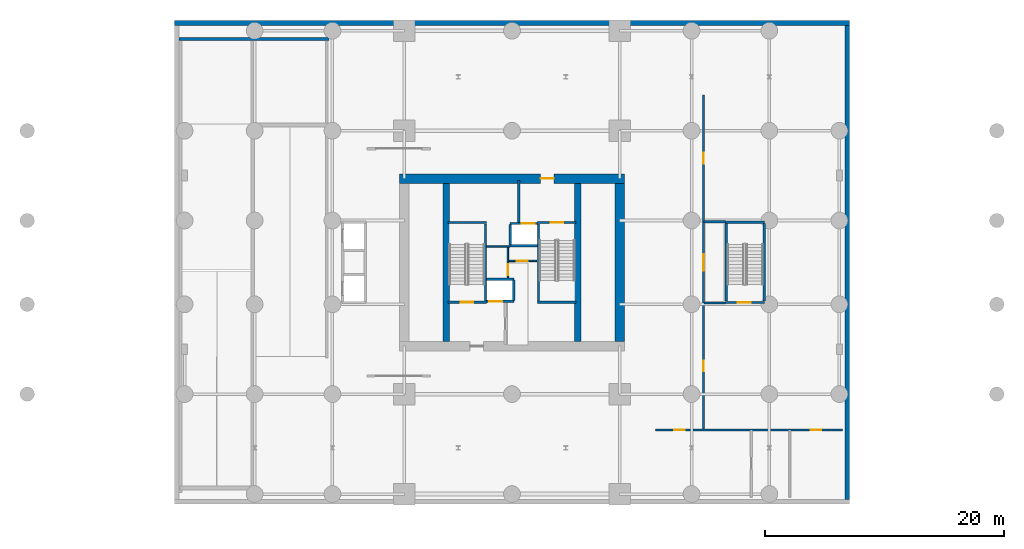
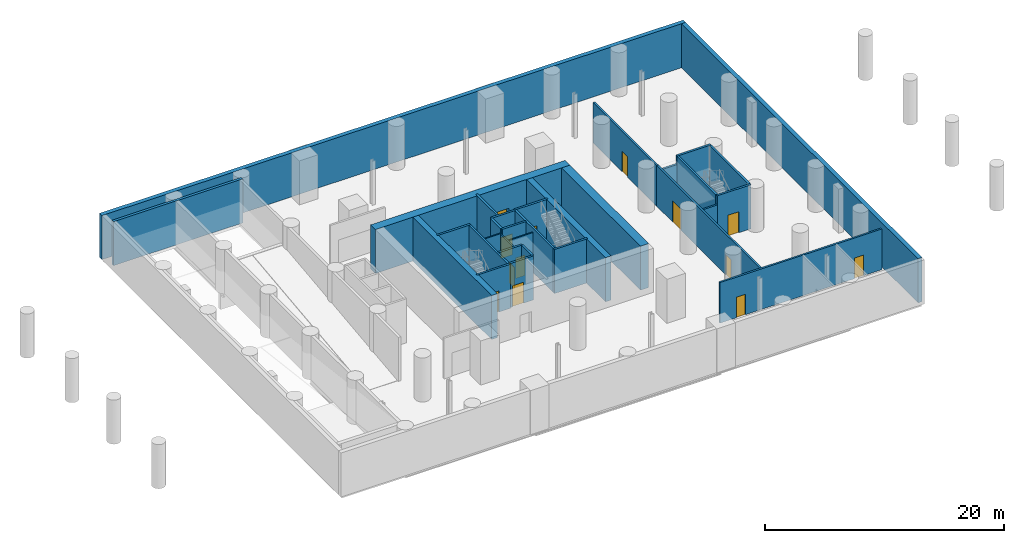
# One storey, part 6 of 8: 32 walls, 13 doors, 13 openings.
"""IFC4 building model written with IfcOpenShell, lengths in metres."""

from ifc_helpers import new_model, si_unit, direction, frame, frame_2d, origin, place, context, subcontext, project, spatial, rectangle, extrude, material, layer, layer_set, type_object, element, fill, save


model = new_model("IFC4")

# Units and contexts
model_context = context("Model", 3, precision=1e-05, world=origin(), true_north=direction((0.0, 1.0)))
body_context = subcontext(model_context, "Body", "Model", "MODEL_VIEW")
ifc_project = project(units=[si_unit("LENGTHUNIT", "METRE"), si_unit("AREAUNIT", "SQUARE_METRE"), si_unit("VOLUMEUNIT", "CUBIC_METRE"), si_unit("PLANEANGLEUNIT", "RADIAN"), si_unit("MASSUNIT", "GRAM", prefix="KILO")], contexts=[model_context])

# Site, building, storey
site_placement = place(None, origin())
site = spatial("IfcSite", under=ifc_project, at=site_placement, CompositionType="ELEMENT")
building_placement = place(site_placement, origin())
building = spatial("IfcBuilding", under=site, at=building_placement, Name="Veldorim Arch Residences", CompositionType="ELEMENT")
storey_placement = place(building_placement, frame((0.0, 0.0, -4.5)))
storey = spatial("IfcBuildingStorey", under=building, at=storey_placement, Name="B1", CompositionType="ELEMENT", Elevation=-4.5)

# Wall, opening, door
ifc_material_1 = material(Name="Acoustic Gypsum Board", Category="gypsum")
ifc_layer_1 = layer(ifc_material_1, 0.125, Name="Acoustic Stud Room Partition Wall 125")
ifc_layer_set_1 = layer_set([ifc_layer_1], Name="Acoustic Gypsum Board")
wall_type_1 = type_object("IfcWallType", Name="Acoustic Stud Room Partition Wall 125", PredefinedType="PARTITIONING", material=ifc_layer_set_1)
wall_1_placement = place(storey_placement, frame((31.64990234375, 22.719970703125, 0.0), z_axis=(0.0, 0.0, 1.0), x_axis=(0.0, 1.0, 0.0)))
wall_1 = element("IfcWall", 1, at=wall_1_placement, inside=storey, type_object=wall_type_1, Name="B1 interior wall WL-CA-B1-1", PredefinedType="PARTITIONING", context=body_context, shape_type="SweptSolid", body=[
    extrude(rectangle(XDim=2.52001953125, YDim=0.125, at=frame_2d((1.260009765625, 0.0))), origin(), (0.0, 0.0, 1.0), 4.14501953125),
])
opening_1_placement = place(wall_1_placement, frame((0.2099609375, 0.0, 0.0)))
opening_1 = element("IfcOpeningElement", 2, at=opening_1_placement, cuts=wall_1, Name="Opening DR-SVC", PredefinedType="OPENING", context=body_context, shape_type="SweptSolid", body=[
    extrude(rectangle(XDim=0.89990234375, YDim=2.10009765625, at=frame_2d((0.449951171875, 1.050048828125))), frame((0.0, 0.072509765625, 0.0), z_axis=(0.0, -1.0, 0.0), x_axis=(1.0, 0.0, 0.0)), (0.0, 0.0, 1.0), 0.14501953125),
])
ifc_material_2 = material(Name="Fire-Rated Steel", Category="steel")
door_type_1 = type_object("IfcDoorType", Name="Riser, Shelter & Plant Room Rated Steel Door 900x2100", OperationType="SINGLE_SWING_LEFT", PredefinedType="DOOR", material=ifc_material_2)
door_1_placement = place(opening_1_placement, origin())
door_1 = element("IfcDoor", 3, at=door_1_placement, inside=storey, type_object=door_type_1, Name="B1 interior door DR-B1-CA1", OperationType="SINGLE_SWING_LEFT", OverallHeight=2.10009765625, OverallWidth=0.89990234375, PredefinedType="DOOR", context=body_context, shape_type="SweptSolid", body=[
    extrude(rectangle(XDim=0.89990234375, YDim=2.10009765625, at=frame_2d((0.449951171875, 1.050048828125))), frame((0.0, 0.02490234375, 0.0), z_axis=(0.0, -1.0, 0.0), x_axis=(1.0, 0.0, 0.0)), (0.0, 0.0, 1.0), 0.050048828125),
])
fill(opening_1, door_1)

wall_2_placement = place(storey_placement, frame((31.760009765625, 24.1201171875, 0.0), z_axis=(0.0, 0.0, 1.0), x_axis=(1.0, 0.0, 0.0)))
wall_2 = element("IfcWall", 4, at=wall_2_placement, inside=storey, type_object=wall_type_1, Name="B1 interior wall WL-CA-B1-2", PredefinedType="PARTITIONING", context=body_context, shape_type="SweptSolid", body=[
    extrude(rectangle(XDim=2.320068359375, YDim=0.125, at=frame_2d((1.16015625, 0.0))), origin(), (0.0, 0.0, 1.0), 4.14501953125),
])
opening_2_placement = place(wall_2_placement, frame((0.639892578125, 0.0, 0.0)))
opening_2 = element("IfcOpeningElement", 5, at=opening_2_placement, cuts=wall_2, Name="Opening DR-SVC", PredefinedType="OPENING", context=body_context, shape_type="SweptSolid", body=[
    extrude(rectangle(XDim=0.89990234375, YDim=2.10009765625, at=frame_2d((0.449951171875, 1.050048828125))), frame((0.0, 0.072509765625, 0.0), z_axis=(0.0, -1.0, 0.0), x_axis=(1.0, 0.0, 0.0)), (0.0, 0.0, 1.0), 0.14501953125),
])
door_2_placement = place(opening_2_placement, origin())
door_2 = element("IfcDoor", 6, at=door_2_placement, inside=storey, type_object=door_type_1, Name="B1 interior door DR-B1-CA2", OperationType="SINGLE_SWING_RIGHT", OverallHeight=2.10009765625, OverallWidth=0.89990234375, PredefinedType="DOOR", context=body_context, shape_type="SweptSolid", body=[
    extrude(rectangle(XDim=0.89990234375, YDim=2.10009765625, at=frame_2d((0.449951171875, 1.050048828125))), frame((0.0, 0.02490234375, 0.0), z_axis=(0.0, -1.0, 0.0), x_axis=(1.0, 0.0, 0.0)), (0.0, 0.0, 1.0), 0.050048828125),
])
fill(opening_2, door_2)

# Walls
wall_3_placement = place(storey_placement, frame((29.889892578125, 25.330078125, 0.0), z_axis=(0.0, 0.0, 1.0), x_axis=(1.0, 0.0, 0.0)))
element("IfcWall", 7, at=wall_3_placement, inside=storey, type_object=wall_type_1, Name="B1 interior wall WL-CA-B1-N", PredefinedType="PARTITIONING", context=body_context, shape_type="SweptSolid", body=[
    extrude(rectangle(XDim=1.940185546875, YDim=0.125, at=frame_2d((0.97021484375, 0.0))), origin(), (0.0, 0.0, 1.0), 4.14501953125),
])
ifc_material_3 = material(Name="Concrete C40/50", Category="concrete")
ifc_layer_2 = layer(ifc_material_3, 0.39990234375, Name="Basement Perimeter Retaining Wall 400")
ifc_layer_set_2 = layer_set([ifc_layer_2], Name="Concrete C40/50")
wall_type_2 = type_object("IfcWallType", Name="Basement Perimeter Retaining Wall 400", PredefinedType="USERDEFINED", material=ifc_layer_set_2)
wall_4_placement = place(storey_placement, frame((3.800048828125, 44.0, 0.0), z_axis=(0.0, 0.0, 1.0), x_axis=(1.0, 0.0, 0.0)))
element("IfcWall", 8, at=wall_4_placement, inside=storey, type_object=wall_type_2, Name="B1 north retaining wall", ObjectType="RETAINING WALL", PredefinedType="USERDEFINED", context=body_context, shape_type="SweptSolid", body=[
    extrude(rectangle(XDim=56.39990234375, YDim=0.39990234375, at=frame_2d((28.199951171875, 0.0))), origin(), (0.0, 0.0, 1.0), 4.5),
])
wall_5_placement = place(storey_placement, frame((60.0, 4.199951171875, 0.0), z_axis=(0.0, 0.0, 1.0), x_axis=(0.0, 1.0, 0.0)))
element("IfcWall", 9, at=wall_5_placement, inside=storey, type_object=wall_type_2, Name="B1 east retaining wall", ObjectType="RETAINING WALL", PredefinedType="USERDEFINED", context=body_context, shape_type="SweptSolid", body=[
    extrude(rectangle(XDim=39.60009765625, YDim=0.39990234375, at=frame_2d((19.800048828125, 0.0))), origin(), (0.0, 0.0, 1.0), 4.5),
])

# Wall, openings, doors
ifc_material_4 = material(Name="Lightweight Masonry Block & Gypsum", Category="masonry")
ifc_layer_3 = layer(ifc_material_4, 0.179931640625, Name="Compartment & Corridor Fire-Rated Party Wall 180")
ifc_layer_set_3 = layer_set([ifc_layer_3], Name="Lightweight Masonry Block & Gypsum")
wall_type_3 = type_object("IfcWallType", Name="Compartment & Corridor Fire-Rated Party Wall 180", PredefinedType="PARTITIONING", material=ifc_layer_set_3)
wall_6_placement = place(storey_placement, frame((59.60009765625, 10.0, 0.0), z_axis=(0.0, 0.0, 1.0), x_axis=(-1.0, 0.0, 0.0)))
wall_6 = element("IfcWall", 10, at=wall_6_placement, inside=storey, type_object=wall_type_3, Name="B1 interior wall WL-BSM-B1-001", PredefinedType="PARTITIONING", context=body_context, shape_type="SweptSolid", body=[
    extrude(rectangle(XDim=15.6201171875, YDim=0.179931640625, at=frame_2d((7.81005859375, 0.0))), origin(), (0.0, 0.0, 1.0), 4.14501953125),
])
opening_3_placement = place(wall_6_placement, frame((13.159912109375, 0.0, 0.0)))
opening_3 = element("IfcOpeningElement", 11, at=opening_3_placement, cuts=wall_6, Name="Opening DR-SVC", PredefinedType="OPENING", context=body_context, shape_type="SweptSolid", body=[
    extrude(rectangle(XDim=0.89990234375, YDim=2.10009765625, at=frame_2d((0.449951171875, 1.050048828125))), frame((0.0, 0.099853515625, 0.0), z_axis=(0.0, -1.0, 0.0), x_axis=(1.0, 0.0, 0.0)), (0.0, 0.0, 1.0), 0.199951171875),
])
opening_4_placement = place(wall_6_placement, frame((1.75, 0.0, 0.0)))
opening_4 = element("IfcOpeningElement", 12, at=opening_4_placement, cuts=wall_6, Name="Opening DR-SVC", PredefinedType="OPENING", context=body_context, shape_type="SweptSolid", body=[
    extrude(rectangle(XDim=0.89990234375, YDim=2.10009765625, at=frame_2d((0.449951171875, 1.050048828125))), frame((0.0, 0.099853515625, 0.0), z_axis=(0.0, -1.0, 0.0), x_axis=(1.0, 0.0, 0.0)), (0.0, 0.0, 1.0), 0.199951171875),
])
door_3_placement = place(opening_3_placement, origin())
door_3 = element("IfcDoor", 13, at=door_3_placement, inside=storey, type_object=door_type_1, Name="B1 interior door DR-BSM-B1-001", OperationType="SINGLE_SWING_LEFT", OverallHeight=2.10009765625, OverallWidth=0.89990234375, PredefinedType="DOOR", context=body_context, shape_type="SweptSolid", body=[
    extrude(rectangle(XDim=0.89990234375, YDim=2.10009765625, at=frame_2d((0.449951171875, 1.050048828125))), frame((0.0, 0.02490234375, 0.0), z_axis=(0.0, -1.0, 0.0), x_axis=(1.0, 0.0, 0.0)), (0.0, 0.0, 1.0), 0.050048828125),
])
fill(opening_3, door_3)
door_4_placement = place(opening_4_placement, origin())
door_4 = element("IfcDoor", 14, at=door_4_placement, inside=storey, type_object=door_type_1, Name="B1 interior door DR-BSM-B1-003", OperationType="SINGLE_SWING_LEFT", OverallHeight=2.10009765625, OverallWidth=0.89990234375, PredefinedType="DOOR", context=body_context, shape_type="SweptSolid", body=[
    extrude(rectangle(XDim=0.89990234375, YDim=2.10009765625, at=frame_2d((0.449951171875, 1.050048828125))), frame((0.0, 0.02490234375, 0.0), z_axis=(0.0, -1.0, 0.0), x_axis=(1.0, 0.0, 0.0)), (0.0, 0.0, 1.0), 0.050048828125),
])
fill(opening_4, door_4)

wall_7_placement = place(storey_placement, frame((48.0, 27.419921875, 0.0), z_axis=(0.0, 0.0, 1.0), x_axis=(0.0, -1.0, 0.0)))
wall_7 = element("IfcWall", 15, at=wall_7_placement, inside=storey, type_object=wall_type_3, Name="B1 interior wall WL-BSM-B1-002", PredefinedType="PARTITIONING", context=body_context, shape_type="SweptSolid", body=[
    extrude(rectangle(XDim=17.35986328125, YDim=0.179931640625, at=frame_2d((8.679931640625, 0.0))), origin(), (0.0, 0.0, 1.0), 4.14501953125),
])
opening_5_placement = place(wall_7_placement, frame((11.6298828125, 0.0, 0.0)))
opening_5 = element("IfcOpeningElement", 16, at=opening_5_placement, cuts=wall_7, Name="Opening DR-SVC", PredefinedType="OPENING", context=body_context, shape_type="SweptSolid", body=[
    extrude(rectangle(XDim=0.89990234375, YDim=2.10009765625, at=frame_2d((0.449951171875, 1.050048828125))), frame((0.0, 0.099853515625, 0.0), z_axis=(0.0, -1.0, 0.0), x_axis=(1.0, 0.0, 0.0)), (0.0, 0.0, 1.0), 0.199951171875),
])
opening_6_placement = place(wall_7_placement, frame((2.719970703125, 0.0, 0.0)))
opening_6 = element("IfcOpeningElement", 17, at=opening_6_placement, cuts=wall_7, Name="Opening DR-LBY", PredefinedType="OPENING", context=body_context, shape_type="SweptSolid", body=[
    extrude(rectangle(XDim=1.39990234375, YDim=2.14990234375, at=frame_2d((0.699951171875, 1.074951171875))), frame((0.0, 0.099853515625, 0.0), z_axis=(0.0, -1.0, 0.0), x_axis=(1.0, 0.0, 0.0)), (0.0, 0.0, 1.0), 0.199951171875),
])
ifc_material_5 = material(Name="Aluminium & Fire Glass", Category="aluminium")
door_type_2 = type_object("IfcDoorType", Name="Lobby Double-Leaf Smoke-Control Door 1400x2150", OperationType="SINGLE_SWING_LEFT", PredefinedType="DOOR", material=ifc_material_5)
door_5_placement = place(opening_6_placement, origin())
door_5 = element("IfcDoor", 18, at=door_5_placement, inside=storey, type_object=door_type_2, Name="B1 interior door DR-BSM-B1-LBY-06", OperationType="DOUBLE_DOOR_SINGLE_SWING", OverallHeight=2.14990234375, OverallWidth=1.39990234375, PredefinedType="DOOR", context=body_context, shape_type="SweptSolid", body=[
    extrude(rectangle(XDim=1.39990234375, YDim=2.14990234375, at=frame_2d((0.699951171875, 1.074951171875))), frame((0.0, 0.02490234375, 0.0), z_axis=(0.0, -1.0, 0.0), x_axis=(1.0, 0.0, 0.0)), (0.0, 0.0, 1.0), 0.050048828125),
])
fill(opening_6, door_5)
door_6_placement = place(opening_5_placement, origin())
door_6 = element("IfcDoor", 19, at=door_6_placement, inside=storey, type_object=door_type_1, Name="B1 interior door DR-BSM-B1-004", OperationType="SINGLE_SWING_RIGHT", OverallHeight=2.10009765625, OverallWidth=0.89990234375, PredefinedType="DOOR", context=body_context, shape_type="SweptSolid", body=[
    extrude(rectangle(XDim=0.89990234375, YDim=2.10009765625, at=frame_2d((0.449951171875, 1.050048828125))), frame((0.0, 0.02490234375, 0.0), z_axis=(0.0, -1.0, 0.0), x_axis=(1.0, 0.0, 0.0)), (0.0, 0.0, 1.0), 0.050048828125),
])
fill(opening_5, door_6)

# Wall, opening, door
wall_8_placement = place(storey_placement, frame((48.0, 38.0, 0.0), z_axis=(0.0, 0.0, 1.0), x_axis=(0.0, -1.0, 0.0)))
wall_8 = element("IfcWall", 20, at=wall_8_placement, inside=storey, type_object=wall_type_3, Name="B1 interior wall WL-BSM-B1-003", PredefinedType="PARTITIONING", context=body_context, shape_type="SweptSolid", body=[
    extrude(rectangle(XDim=10.6201171875, YDim=0.179931640625, at=frame_2d((5.31005859375, 0.0))), origin(), (0.0, 0.0, 1.0), 4.14501953125),
])
opening_7_placement = place(wall_8_placement, frame((4.860107421875, 0.0, 0.0)))
opening_7 = element("IfcOpeningElement", 21, at=opening_7_placement, cuts=wall_8, Name="Opening DR-SVC", PredefinedType="OPENING", context=body_context, shape_type="SweptSolid", body=[
    extrude(rectangle(XDim=0.89990234375, YDim=2.10009765625, at=frame_2d((0.449951171875, 1.050048828125))), frame((0.0, 0.099853515625, 0.0), z_axis=(0.0, -1.0, 0.0), x_axis=(1.0, 0.0, 0.0)), (0.0, 0.0, 1.0), 0.199951171875),
])
door_7_placement = place(opening_7_placement, origin())
door_7 = element("IfcDoor", 22, at=door_7_placement, inside=storey, type_object=door_type_1, Name="B1 interior door DR-BSM-B1-005", OperationType="SINGLE_SWING_LEFT", OverallHeight=2.10009765625, OverallWidth=0.89990234375, PredefinedType="DOOR", context=body_context, shape_type="SweptSolid", body=[
    extrude(rectangle(XDim=0.89990234375, YDim=2.10009765625, at=frame_2d((0.449951171875, 1.050048828125))), frame((0.0, 0.02490234375, 0.0), z_axis=(0.0, -1.0, 0.0), x_axis=(1.0, 0.0, 0.0)), (0.0, 0.0, 1.0), 0.050048828125),
])
fill(opening_7, door_7)

# Walls
for number, where, z_axis, x_axis, name in (
    (23, (48.06005859375, 20.60009765625, 0.0), (0.0, 0.0, 1.0), (1.0, 0.0, 0.0), "B1 interior wall WL-BSM-B1-006"),
    (24, (49.85009765625, 27.39990234375, 0.0), (0.0, 0.0, 1.0), (-1.0, 0.0, 0.0), "B1 interior wall WL-BSM-B1-007"),
):
    element("IfcWall", number, at=place(storey_placement, frame(where, z_axis=z_axis, x_axis=x_axis)), inside=storey, type_object=wall_type_3, Name=name, PredefinedType="PARTITIONING", context=body_context, shape_type="SweptSolid", body=[
        extrude(rectangle(XDim=1.7900390625, YDim=0.179931640625, at=frame_2d((0.89501953125, 0.0))), origin(), (0.0, 0.0, 1.0), 3.593505859375),
    ])
ifc_material_6 = material(Name="Concrete C50/60", Category="concrete")
ifc_layer_4 = layer(ifc_material_6, 0.199951171875, Name="Core Stair & Lift Shaft Enclosure Wall 200")
ifc_layer_set_4 = layer_set([ifc_layer_4], Name="Concrete C50/60")
wall_type_4 = type_object("IfcWallType", Name="Core Stair & Lift Shaft Enclosure Wall 200", PredefinedType="SHEAR", material=ifc_layer_set_4)
wall_9_placement = place(storey_placement, frame((29.7900390625, 20.780029296875, 0.0), z_axis=(0.0, 0.0, 1.0), x_axis=(0.0, 1.0, 0.0)))
element("IfcWall", 25, at=wall_9_placement, inside=storey, type_object=wall_type_4, Name="B1 shaft wall WL-SHF-B1-ST1-E", PredefinedType="SHEAR", context=body_context, shape_type="SweptSolid", body=[
    extrude(rectangle(XDim=6.43994140625, YDim=0.199951171875, at=frame_2d((3.219970703125, 0.0))), origin(), (0.0, 0.0, 1.0), 4.5),
])
wall_10_placement = place(storey_placement, frame((26.64990234375, 27.330078125, 0.0), z_axis=(0.0, 0.0, 1.0), x_axis=(1.0, 0.0, 0.0)))
element("IfcWall", 26, at=wall_10_placement, inside=storey, type_object=wall_type_4, Name="B1 shaft wall WL-SHF-B1-ST1-N", PredefinedType="SHEAR", context=body_context, shape_type="SweptSolid", body=[
    extrude(rectangle(XDim=3.239990234375, YDim=0.199951171875, at=frame_2d((1.6201171875, 0.0))), origin(), (0.0, 0.0, 1.0), 4.5),
])

# Wall, opening, door
wall_11_placement = place(storey_placement, frame((26.64990234375, 20.669921875, 0.0), z_axis=(0.0, 0.0, 1.0), x_axis=(1.0, 0.0, 0.0)))
wall_11 = element("IfcWall", 27, at=wall_11_placement, inside=storey, type_object=wall_type_4, Name="B1 shaft wall WL-SHF-B1-ST1-S", PredefinedType="SHEAR", context=body_context, shape_type="SweptSolid", body=[
    extrude(rectangle(XDim=3.239990234375, YDim=0.199951171875, at=frame_2d((1.6201171875, 0.0))), origin(), (0.0, 0.0, 1.0), 4.5),
])
opening_8_placement = place(wall_11_placement, frame((1.054931640625, 0.0, 0.0)))
opening_8 = element("IfcOpeningElement", 28, at=opening_8_placement, cuts=wall_11, Name="Opening DR-ST", PredefinedType="OPENING", context=body_context, shape_type="SweptSolid", body=[
    extrude(rectangle(XDim=1.050048828125, YDim=2.14990234375, at=frame_2d((0.52490234375, 1.074951171875))), frame((0.0, 0.10986328125, 0.0), z_axis=(0.0, -1.0, 0.0), x_axis=(1.0, 0.0, 0.0)), (0.0, 0.0, 1.0), 0.219970703125),
])
ifc_material_7 = material(Name="Fire-Rated Steel", Category="steel")
door_type_3 = type_object("IfcDoorType", Name="Exit Staircase Self-Closing Fire Door 1050x2150", OperationType="SINGLE_SWING_LEFT", PredefinedType="DOOR", material=ifc_material_7)
door_8_placement = place(opening_8_placement, origin())
door_8 = element("IfcDoor", 29, at=door_8_placement, inside=storey, type_object=door_type_3, Name="B1 interior door DR-B1-ST1", OperationType="SINGLE_SWING_LEFT", OverallHeight=2.14990234375, OverallWidth=1.050048828125, PredefinedType="DOOR", context=body_context, shape_type="SweptSolid", body=[
    extrude(rectangle(XDim=1.050048828125, YDim=2.14990234375, at=frame_2d((0.52490234375, 1.074951171875))), frame((0.0, 0.02490234375, 0.0), z_axis=(0.0, -1.0, 0.0), x_axis=(1.0, 0.0, 0.0)), (0.0, 0.0, 1.0), 0.050048828125),
])
fill(opening_8, door_8)

# Walls
wall_12_placement = place(storey_placement, frame((34.2099609375, 20.780029296875, 0.0), z_axis=(0.0, 0.0, 1.0), x_axis=(0.0, 1.0, 0.0)))
element("IfcWall", 30, at=wall_12_placement, inside=storey, type_object=wall_type_4, Name="B1 shaft wall WL-SHF-B1-ST2-W", PredefinedType="SHEAR", context=body_context, shape_type="SweptSolid", body=[
    extrude(rectangle(XDim=6.43994140625, YDim=0.199951171875, at=frame_2d((3.219970703125, 0.0))), origin(), (0.0, 0.0, 1.0), 4.5),
])
wall_13_placement = place(storey_placement, frame((34.110107421875, 20.669921875, 0.0), z_axis=(0.0, 0.0, 1.0), x_axis=(1.0, 0.0, 0.0)))
element("IfcWall", 31, at=wall_13_placement, inside=storey, type_object=wall_type_4, Name="B1 shaft wall WL-SHF-B1-ST2-S", PredefinedType="SHEAR", context=body_context, shape_type="SweptSolid", body=[
    extrude(rectangle(XDim=3.239990234375, YDim=0.199951171875, at=frame_2d((1.6201171875, 0.0))), origin(), (0.0, 0.0, 1.0), 4.5),
])

# Wall, opening, door
wall_14_placement = place(storey_placement, frame((34.110107421875, 27.330078125, 0.0), z_axis=(0.0, 0.0, 1.0), x_axis=(1.0, 0.0, 0.0)))
wall_14 = element("IfcWall", 32, at=wall_14_placement, inside=storey, type_object=wall_type_4, Name="B1 shaft wall WL-SHF-B1-ST2-N", PredefinedType="SHEAR", context=body_context, shape_type="SweptSolid", body=[
    extrude(rectangle(XDim=3.239990234375, YDim=0.199951171875, at=frame_2d((1.6201171875, 0.0))), origin(), (0.0, 0.0, 1.0), 4.5),
])
opening_9_placement = place(wall_14_placement, frame((1.135009765625, 0.0, 0.0)))
opening_9 = element("IfcOpeningElement", 33, at=opening_9_placement, cuts=wall_14, Name="Opening DR-ST", PredefinedType="OPENING", context=body_context, shape_type="SweptSolid", body=[
    extrude(rectangle(XDim=1.050048828125, YDim=2.14990234375, at=frame_2d((0.52490234375, 1.074951171875))), frame((0.0, 0.10986328125, 0.0), z_axis=(0.0, -1.0, 0.0), x_axis=(1.0, 0.0, 0.0)), (0.0, 0.0, 1.0), 0.219970703125),
])
door_9_placement = place(opening_9_placement, origin())
door_9 = element("IfcDoor", 34, at=door_9_placement, inside=storey, type_object=door_type_3, Name="B1 interior door DR-B1-ST2", OperationType="SINGLE_SWING_RIGHT", OverallHeight=2.14990234375, OverallWidth=1.050048828125, PredefinedType="DOOR", context=body_context, shape_type="SweptSolid", body=[
    extrude(rectangle(XDim=1.050048828125, YDim=2.14990234375, at=frame_2d((0.52490234375, 1.074951171875))), frame((0.0, 0.02490234375, 0.0), z_axis=(0.0, -1.0, 0.0), x_axis=(1.0, 0.0, 0.0)), (0.0, 0.0, 1.0), 0.050048828125),
])
fill(opening_9, door_9)

# Wall
wall_15_placement = place(storey_placement, frame((32.550048828125, 27.35009765625, 0.0), z_axis=(0.0, 0.0, 1.0), x_axis=(0.0, 1.0, 0.0)))
element("IfcWall", 35, at=wall_15_placement, inside=storey, type_object=wall_type_4, Name="B1 shaft wall WL-FFL2-B1-W", PredefinedType="SHEAR", context=body_context, shape_type="SweptSolid", body=[
    extrude(rectangle(XDim=3.5, YDim=0.199951171875, at=frame_2d((1.75, 0.0))), origin(), (0.0, 0.0, 1.0), 4.5),
])

# Wall, opening, door
wall_16_placement = place(storey_placement, frame((29.85009765625, 20.75, 0.0), z_axis=(0.0, 0.0, 1.0), x_axis=(1.0, 0.0, 0.0)))
wall_16 = element("IfcWall", 36, at=wall_16_placement, inside=storey, type_object=wall_type_4, Name="B1 shaft wall WL-FL01-B1-S", PredefinedType="SHEAR", context=body_context, shape_type="SweptSolid", body=[
    extrude(rectangle(XDim=2.2998046875, YDim=0.199951171875, at=frame_2d((1.14990234375, 0.0))), origin(), (0.0, 0.0, 1.0), 4.5),
])
opening_10_placement = place(wall_16_placement, frame((0.25, 0.0, 0.0)))
opening_10 = element("IfcOpeningElement", 37, at=opening_10_placement, cuts=wall_16, Name="Opening LD-FF", PredefinedType="OPENING", context=body_context, shape_type="SweptSolid", body=[
    extrude(rectangle(XDim=1.10009765625, YDim=2.14990234375, at=frame_2d((0.550048828125, 1.074951171875))), frame((0.0, 0.10986328125, 0.0), z_axis=(0.0, -1.0, 0.0), x_axis=(1.0, 0.0, 0.0)), (0.0, 0.0, 1.0), 0.219970703125),
])
ifc_material_8 = material(Name="Stainless Steel", Category="steel")
door_type_4 = type_object("IfcDoorType", Name="Firefighting Lift Bi-Parting Sliding Landing Door 1100x2150", OperationType="DOUBLE_DOOR_SLIDING", PredefinedType="DOOR", material=ifc_material_8)
door_10_placement = place(opening_10_placement, origin())
door_10 = element("IfcDoor", 38, at=door_10_placement, inside=storey, type_object=door_type_4, Name="B1 lift landing door LD-B1-FL01", OperationType="DOUBLE_DOOR_SLIDING", OverallHeight=2.14990234375, OverallWidth=1.10009765625, PredefinedType="DOOR", context=body_context, shape_type="SweptSolid", body=[
    extrude(rectangle(XDim=1.10009765625, YDim=2.14990234375, at=frame_2d((0.550048828125, 1.074951171875))), frame((0.0, 0.02490234375, 0.0), z_axis=(0.0, -1.0, 0.0), x_axis=(1.0, 0.0, 0.0)), (0.0, 0.0, 1.0), 0.050048828125),
])
fill(opening_10, door_10)

# Walls
wall_17_placement = place(storey_placement, frame((29.85009765625, 22.60009765625, 0.0), z_axis=(0.0, 0.0, 1.0), x_axis=(1.0, 0.0, 0.0)))
element("IfcWall", 39, at=wall_17_placement, inside=storey, type_object=wall_type_4, Name="B1 shaft wall WL-FL01-B1-N", PredefinedType="SHEAR", context=body_context, shape_type="SweptSolid", body=[
    extrude(rectangle(XDim=2.2998046875, YDim=0.199951171875, at=frame_2d((1.14990234375, 0.0))), origin(), (0.0, 0.0, 1.0), 4.5),
])
wall_18_placement = place(storey_placement, frame((32.14990234375, 20.820068359375, 0.0), z_axis=(0.0, 0.0, 1.0), x_axis=(0.0, 1.0, 0.0)))
element("IfcWall", 40, at=wall_18_placement, inside=storey, type_object=wall_type_4, Name="B1 shaft wall WL-FL01-B1-E", PredefinedType="SHEAR", context=body_context, shape_type="SweptSolid", body=[
    extrude(rectangle(XDim=1.7099609375, YDim=0.199951171875, at=frame_2d((0.85498046875, 0.0))), origin(), (0.0, 0.0, 1.0), 4.5),
])

# Wall, opening, door
wall_19_placement = place(storey_placement, frame((31.85009765625, 27.25, 0.0), z_axis=(0.0, 0.0, 1.0), x_axis=(1.0, 0.0, 0.0)))
wall_19 = element("IfcWall", 41, at=wall_19_placement, inside=storey, type_object=wall_type_4, Name="B1 shaft wall WL-FL02-B1-N", PredefinedType="SHEAR", context=body_context, shape_type="SweptSolid", body=[
    extrude(rectangle(XDim=2.2998046875, YDim=0.199951171875, at=frame_2d((1.14990234375, 0.0))), origin(), (0.0, 0.0, 1.0), 4.5),
])
opening_11_placement = place(wall_19_placement, frame((0.949951171875, 0.0, 0.0)))
opening_11 = element("IfcOpeningElement", 42, at=opening_11_placement, cuts=wall_19, Name="Opening LD-FF", PredefinedType="OPENING", context=body_context, shape_type="SweptSolid", body=[
    extrude(rectangle(XDim=1.10009765625, YDim=2.14990234375, at=frame_2d((0.550048828125, 1.074951171875))), frame((0.0, 0.10986328125, 0.0), z_axis=(0.0, -1.0, 0.0), x_axis=(1.0, 0.0, 0.0)), (0.0, 0.0, 1.0), 0.219970703125),
])
door_11_placement = place(opening_11_placement, origin())
door_11 = element("IfcDoor", 43, at=door_11_placement, inside=storey, type_object=door_type_4, Name="B1 lift landing door LD-B1-FL02", OperationType="DOUBLE_DOOR_SLIDING", OverallHeight=2.14990234375, OverallWidth=1.10009765625, PredefinedType="DOOR", context=body_context, shape_type="SweptSolid", body=[
    extrude(rectangle(XDim=1.10009765625, YDim=2.14990234375, at=frame_2d((0.550048828125, 1.074951171875))), frame((0.0, 0.02490234375, 0.0), z_axis=(0.0, -1.0, 0.0), x_axis=(1.0, 0.0, 0.0)), (0.0, 0.0, 1.0), 0.050048828125),
])
fill(opening_11, door_11)

# Walls
wall_20_placement = place(storey_placement, frame((31.85009765625, 25.39990234375, 0.0), z_axis=(0.0, 0.0, 1.0), x_axis=(1.0, 0.0, 0.0)))
element("IfcWall", 44, at=wall_20_placement, inside=storey, type_object=wall_type_4, Name="B1 shaft wall WL-FL02-B1-S", PredefinedType="SHEAR", context=body_context, shape_type="SweptSolid", body=[
    extrude(rectangle(XDim=2.2998046875, YDim=0.199951171875, at=frame_2d((1.14990234375, 0.0))), origin(), (0.0, 0.0, 1.0), 4.5),
])
wall_21_placement = place(storey_placement, frame((31.85009765625, 25.469970703125, 0.0), z_axis=(0.0, 0.0, 1.0), x_axis=(0.0, 1.0, 0.0)))
element("IfcWall", 45, at=wall_21_placement, inside=storey, type_object=wall_type_4, Name="B1 shaft wall WL-FL02-B1-W", PredefinedType="SHEAR", context=body_context, shape_type="SweptSolid", body=[
    extrude(rectangle(XDim=1.7099609375, YDim=0.199951171875, at=frame_2d((0.85498046875, 0.0))), origin(), (0.0, 0.0, 1.0), 4.5),
])
for number, where, z_axis, x_axis, name in (
    (46, (49.89990234375, 20.760009765625, 0.0), (0.0, 0.0, 1.0), (0.0, 1.0, 0.0), "B1 shaft wall WL-SHF-B1-ST3-W"),
    (47, (53.06005859375, 20.760009765625, 0.0), (0.0, 0.0, 1.0), (0.0, 1.0, 0.0), "B1 shaft wall WL-SHF-B1-ST3-E"),
):
    element("IfcWall", number, at=place(storey_placement, frame(where, z_axis=z_axis, x_axis=x_axis)), inside=storey, type_object=wall_type_4, Name=name, PredefinedType="SHEAR", context=body_context, shape_type="SweptSolid", body=[
        extrude(rectangle(XDim=6.47998046875, YDim=0.199951171875, at=frame_2d((3.239990234375, 0.0))), origin(), (0.0, 0.0, 1.0), 4.5),
    ])

# Wall, opening, door
wall_22_placement = place(storey_placement, frame((49.85009765625, 20.64990234375, 0.0), z_axis=(0.0, 0.0, 1.0), x_axis=(1.0, 0.0, 0.0)))
wall_22 = element("IfcWall", 48, at=wall_22_placement, inside=storey, type_object=wall_type_4, Name="B1 shaft wall WL-SHF-B1-ST3-S", PredefinedType="SHEAR", context=body_context, shape_type="SweptSolid", body=[
    extrude(rectangle(XDim=3.260009765625, YDim=0.199951171875, at=frame_2d((1.6298828125, 0.0))), origin(), (0.0, 0.0, 1.0), 4.5),
])
opening_12_placement = place(wall_22_placement, frame((1.02490234375, 0.0, 0.0)))
opening_12 = element("IfcOpeningElement", 49, at=opening_12_placement, cuts=wall_22, Name="Opening DR-ST", PredefinedType="OPENING", context=body_context, shape_type="SweptSolid", body=[
    extrude(rectangle(XDim=1.050048828125, YDim=2.14990234375, at=frame_2d((0.52490234375, 1.074951171875))), frame((0.0, 0.10986328125, 0.0), z_axis=(0.0, -1.0, 0.0), x_axis=(1.0, 0.0, 0.0)), (0.0, 0.0, 1.0), 0.219970703125),
])
door_12_placement = place(opening_12_placement, origin())
door_12 = element("IfcDoor", 50, at=door_12_placement, inside=storey, type_object=door_type_3, Name="B1 interior door DR-B1-ST3", OperationType="SINGLE_SWING_LEFT", OverallHeight=2.14990234375, OverallWidth=1.050048828125, PredefinedType="DOOR", context=body_context, shape_type="SweptSolid", body=[
    extrude(rectangle(XDim=1.050048828125, YDim=2.14990234375, at=frame_2d((0.52490234375, 1.074951171875))), frame((0.0, 0.02490234375, 0.0), z_axis=(0.0, -1.0, 0.0), x_axis=(1.0, 0.0, 0.0)), (0.0, 0.0, 1.0), 0.050048828125),
])
fill(opening_12, door_12)

# Walls
wall_23_placement = place(storey_placement, frame((49.85009765625, 27.35009765625, 0.0), z_axis=(0.0, 0.0, 1.0), x_axis=(1.0, 0.0, 0.0)))
element("IfcWall", 51, at=wall_23_placement, inside=storey, type_object=wall_type_4, Name="B1 shaft wall WL-SHF-B1-ST3-N", PredefinedType="SHEAR", context=body_context, shape_type="SweptSolid", body=[
    extrude(rectangle(XDim=3.260009765625, YDim=0.199951171875, at=frame_2d((1.6298828125, 0.0))), origin(), (0.0, 0.0, 1.0), 4.5),
])
ifc_material_9 = material(Name="Concrete C60/75", Category="concrete")
ifc_layer_5 = layer(ifc_material_9, 0.56005859375, Name="Internal Core Shear Web Wall 560")
ifc_layer_set_5 = layer_set([ifc_layer_5], Name="Concrete C60/75")
wall_type_5 = type_object("IfcWallType", Name="Internal Core Shear Web Wall 560", PredefinedType="SHEAR", material=ifc_layer_set_5)
for number, where, z_axis, x_axis, name in (
    (52, (26.5, 17.39990234375, 0.0), (0.0, 0.0, 1.0), (0.0, 1.0, 0.0), "B1 core west internal shear web"),
    (53, (37.5, 17.39990234375, 0.0), (0.0, 0.0, 1.0), (0.0, 1.0, 0.0), "B1 core east internal shear web"),
):
    element("IfcWall", number, at=place(storey_placement, frame(where, z_axis=z_axis, x_axis=x_axis)), inside=storey, type_object=wall_type_5, Name=name, PredefinedType="SHEAR", context=body_context, shape_type="SweptSolid", body=[
        extrude(rectangle(XDim=13.2001953125, YDim=0.56005859375, at=frame_2d((6.60009765625, 0.0))), origin(), (0.0, 0.0, 1.0), 4.5),
    ])

# Wall, opening, door
ifc_material_10 = material(Name="Concrete C60/75", Category="concrete")
ifc_layer_6 = layer(ifc_material_10, 0.800048828125, Name="Lower Central Core Shear Wall 800")
ifc_layer_set_6 = layer_set([ifc_layer_6], Name="Concrete C60/75")
wall_type_6 = type_object("IfcWallType", Name="Lower Central Core Shear Wall 800", PredefinedType="SHEAR", material=ifc_layer_set_6)
wall_24_placement = place(storey_placement, frame((22.60009765625, 31.0, 0.0), z_axis=(0.0, 0.0, 1.0), x_axis=(1.0, 0.0, 0.0)))
wall_24 = element("IfcWall", 54, at=wall_24_placement, inside=storey, type_object=wall_type_6, Name="B1 central core north shear wall", PredefinedType="SHEAR", context=body_context, shape_type="SweptSolid", body=[
    extrude(rectangle(XDim=18.7998046875, YDim=0.800048828125, at=frame_2d((9.39990234375, 0.0))), origin(), (0.0, 0.0, 1.0), 4.5),
])
opening_13_placement = place(wall_24_placement, frame((11.800048828125, 0.0, 0.0)))
opening_13 = element("IfcOpeningElement", 55, at=opening_13_placement, cuts=wall_24, Name="Opening DR-FFL", PredefinedType="OPENING", context=body_context, shape_type="SweptSolid", body=[
    extrude(rectangle(XDim=1.10009765625, YDim=2.14990234375, at=frame_2d((0.550048828125, 1.074951171875))), frame((0.0, 0.409912109375, 0.0), z_axis=(0.0, -1.0, 0.0), x_axis=(1.0, 0.0, 0.0)), (0.0, 0.0, 1.0), 0.820068359375),
])
ifc_material_11 = material(Name="Fire-Rated Steel & Vision Glass", Category="steel")
door_type_5 = type_object("IfcDoorType", Name="Firefighting Lobby Smoke-Stop Fire Door 1100x2150", OperationType="SINGLE_SWING_LEFT", PredefinedType="DOOR", material=ifc_material_11)
door_13_placement = place(opening_13_placement, origin())
door_13 = element("IfcDoor", 56, at=door_13_placement, inside=storey, type_object=door_type_5, Name="B1 interior door DR-B1-FFL2", OperationType="SINGLE_SWING_LEFT", OverallHeight=2.14990234375, OverallWidth=1.10009765625, PredefinedType="DOOR", context=body_context, shape_type="SweptSolid", body=[
    extrude(rectangle(XDim=1.10009765625, YDim=2.14990234375, at=frame_2d((0.550048828125, 1.074951171875))), frame((0.0, 0.02490234375, 0.0), z_axis=(0.0, -1.0, 0.0), x_axis=(1.0, 0.0, 0.0)), (0.0, 0.0, 1.0), 0.050048828125),
])
fill(opening_13, door_13)

# Walls
wall_25_placement = place(storey_placement, frame((41.0, 17.39990234375, 0.0), z_axis=(0.0, 0.0, 1.0), x_axis=(0.0, 1.0, 0.0)))
element("IfcWall", 57, at=wall_25_placement, inside=storey, type_object=wall_type_6, Name="B1 central core east shear wall", PredefinedType="SHEAR", context=body_context, shape_type="SweptSolid", body=[
    extrude(rectangle(XDim=13.2001953125, YDim=0.800048828125, at=frame_2d((6.60009765625, 0.0))), origin(), (0.0, 0.0, 1.0), 4.5),
])
ifc_material_12 = material(Name="Concrete C50/60", Category="concrete")
ifc_layer_7 = layer(ifc_material_12, 0.25, Name="Vehicle Ramp Structural Enclosure Wall 250")
ifc_layer_set_7 = layer_set([ifc_layer_7], Name="Concrete C50/60")
wall_type_7 = type_object("IfcWallType", Name="Vehicle Ramp Structural Enclosure Wall 250", PredefinedType="SHEAR", material=ifc_layer_set_7)
wall_26_placement = place(storey_placement, frame((4.199951171875, 42.675048828125, 0.0), z_axis=(0.0, 0.0, 1.0), x_axis=(1.0, 0.0, 0.0)))
element("IfcWall", 58, at=wall_26_placement, inside=storey, type_object=wall_type_7, Name="B1 ramp north end wall", PredefinedType="SHEAR", context=body_context, shape_type="SweptSolid", body=[
    extrude(rectangle(XDim=12.5, YDim=0.25, at=frame_2d((6.25, 0.0))), origin(), (0.0, 0.0, 1.0), 4.5),
])

save(model, "model.ifc")
